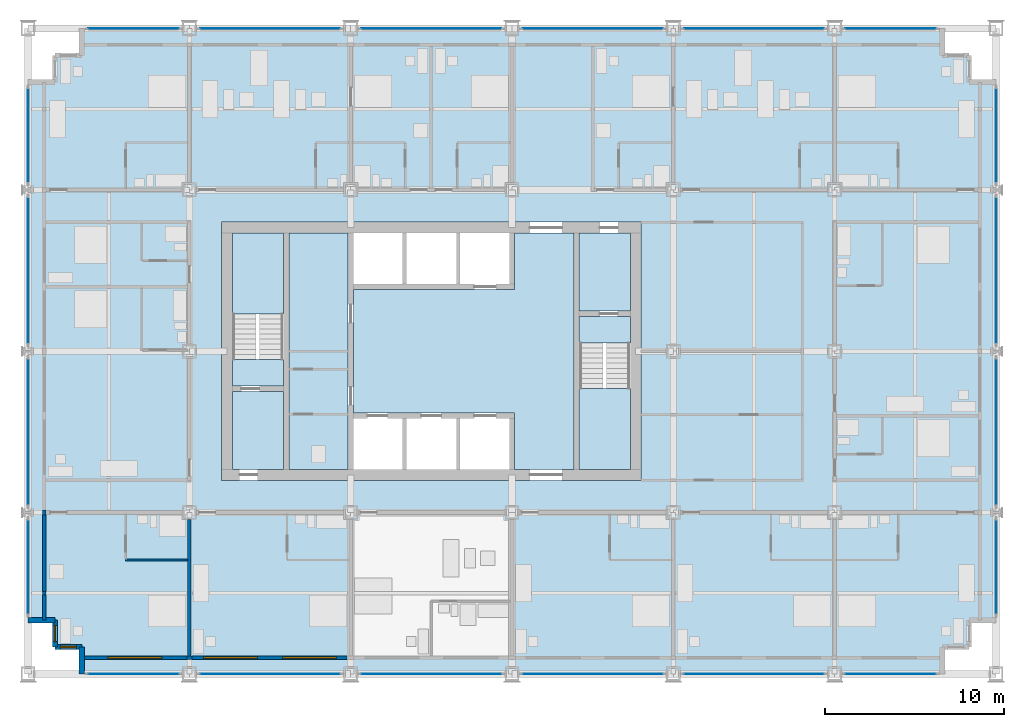
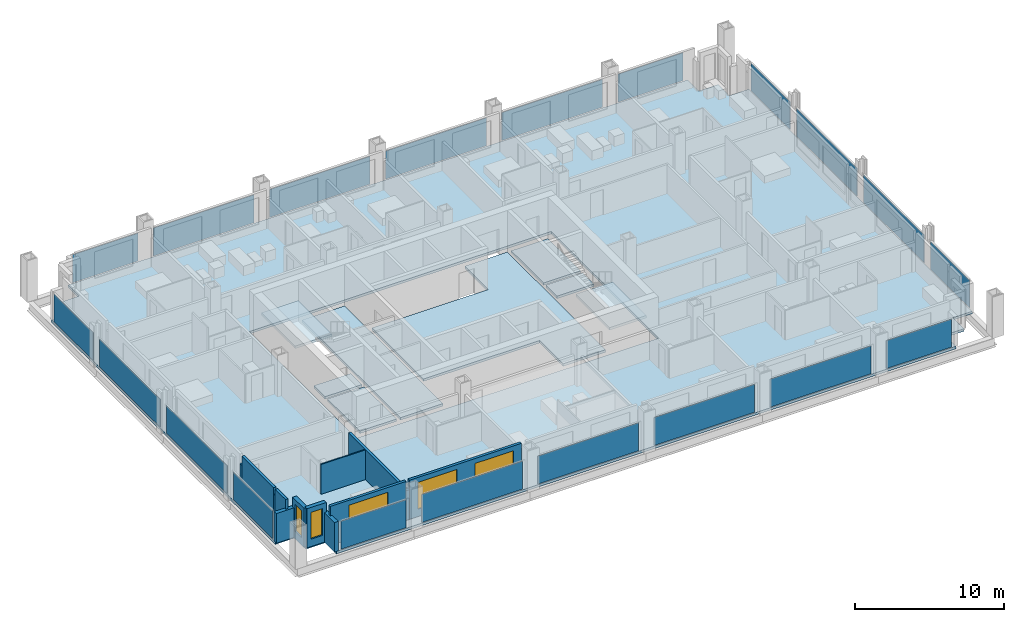
# One storey, part 9 of 18: 20 plates, 13 walls, 9 slabs, 5 windows, 5 openings, 22 elements without a shape of their own.
"""IFC4 building model written with IfcOpenShell, lengths in metres."""

from ifc_helpers import new_model, si_unit, direction, frame, frame_2d, origin, origin_2d, place, context, subcontext, project, spatial, polyline, rectangle, outline, extrude, material, layer, layer_set, type_object, element, fill, aggregate, save


model = new_model("IFC4")

# Units and contexts
model_context = context("Model", 3, precision=1e-05, world=origin(), true_north=direction((0.0, 1.0)))
body_context = subcontext(model_context, "Body", "Model", "MODEL_VIEW")
ifc_project = project(units=[si_unit("LENGTHUNIT", "METRE"), si_unit("AREAUNIT", "SQUARE_METRE"), si_unit("VOLUMEUNIT", "CUBIC_METRE"), si_unit("PLANEANGLEUNIT", "RADIAN"), si_unit("MASSUNIT", "GRAM", prefix="KILO")], contexts=[model_context])

# Site, building, storey
site_placement = place(None, origin())
site = spatial("IfcSite", under=ifc_project, at=site_placement, CompositionType="ELEMENT")
building_placement = place(site_placement, origin())
building = spatial("IfcBuilding", under=site, at=building_placement, Name="Loomwork Tower", CompositionType="ELEMENT")
storey_placement = place(building_placement, frame((0.0, 0.0, 41.60009765625)))
storey = spatial("IfcBuildingStorey", under=building, at=storey_placement, Name="L09", CompositionType="ELEMENT", Elevation=41.60009765625)

# Slabs
ifc_material_1 = material(Name="Concrete 5000 psi (34 MPa) on composite metal deck", Category="concrete")
ifc_layer_1 = layer(ifc_material_1, 0.199951171875)
ifc_layer_set_1 = layer_set([ifc_layer_1], Name="Floor slab 200")
slab_type_1 = type_object("IfcSlabType", Name="Floor slab 200", PredefinedType="FLOOR", material=ifc_layer_set_1)
slab_1_placement = place(storey_placement, frame((0.0, 0.0, -0.2001953125)))
element("IfcSlab", 1, at=slab_1_placement, inside=storey, type_object=slab_type_1, Name="Floor slab L09", PredefinedType="FLOOR", context=body_context, shape_type="SweptSolid", body=[
    extrude(outline(polyline([(3.0, 1.5), (1.5, 1.5), (1.5, 3.0), (0.0, 3.0), (0.0, 33.0), (1.5, 33.0), (1.5, 34.5), (3.0, 34.5), (3.0, 36.0), (51.0, 36.0), (51.0, 34.5), (52.5, 34.5), (52.5, 33.0), (54.0, 33.0), (54.0, 3.0), (52.5, 3.0), (52.5, 1.5), (51.0, 1.5), (51.0, 0.0), (3.0, 0.0), (3.0, 1.5)]), holes=[polyline([(10.800048828125, 11.39990234375), (10.800048828125, 11.39990234375), (10.800048828125, 10.800048828125), (34.199951171875, 10.800048828125), (34.199951171875, 11.39990234375), (34.199951171875, 11.39990234375), (34.199951171875, 24.60009765625), (34.199951171875, 25.199951171875), (10.800048828125, 25.199951171875), (10.800048828125, 24.60009765625), (10.800048828125, 11.39990234375)])]), origin(), (0.0, 0.0, 1.0), 0.2001953125),
])
slab_2_placement = place(storey_placement, frame((0.0, 0.0, -0.2001953125)))
element("IfcSlab", 2, at=slab_2_placement, inside=storey, type_object=slab_type_1, Name="Floor slab L09", PredefinedType="FLOOR", context=body_context, shape_type="SweptSolid", body=[
    extrude(outline(polyline([(30.449951171875, 24.60009765625), (30.449951171875, 11.39990234375), (27.14990234375, 11.39990234375), (27.14990234375, 14.25), (27.14990234375, 14.550048828125), (18.14990234375, 14.550048828125), (18.14990234375, 21.449951171875), (27.14990234375, 21.449951171875), (27.14990234375, 21.75), (27.14990234375, 24.60009765625), (30.449951171875, 24.60009765625)])), origin(), (0.0, 0.0, 1.0), 0.2001953125),
])
slab_3_placement = place(storey_placement, frame((0.0, 0.0, -0.2001953125)))
element("IfcSlab", 3, at=slab_3_placement, inside=storey, type_object=slab_type_1, Name="Floor slab L09", PredefinedType="FLOOR", context=body_context, shape_type="SweptSolid", body=[
    extrude(outline(polyline([(14.550048828125, 11.39990234375), (14.550048828125, 24.60009765625), (17.85009765625, 24.60009765625), (17.85009765625, 11.39990234375), (14.550048828125, 11.39990234375)])), origin(), (0.0, 0.0, 1.0), 0.2001953125),
])
slab_4_placement = place(storey_placement, frame((0.0, 0.0, -0.2001953125)))
element("IfcSlab", 4, at=slab_4_placement, inside=storey, type_object=slab_type_1, Name="Floor slab L09", PredefinedType="FLOOR", context=body_context, shape_type="SweptSolid", body=[
    extrude(outline(polyline([(33.60009765625, 20.25), (30.75, 20.25), (30.75, 24.60009765625), (33.60009765625, 24.60009765625), (33.60009765625, 20.25)])), origin(), (0.0, 0.0, 1.0), 0.2001953125),
])
slab_5_placement = place(storey_placement, frame((0.0, 0.0, -0.2001953125)))
element("IfcSlab", 5, at=slab_5_placement, inside=storey, type_object=slab_type_1, Name="Floor slab L09", PredefinedType="FLOOR", context=body_context, shape_type="SweptSolid", body=[
    extrude(outline(polyline([(14.25, 15.75), (14.25, 11.39990234375), (11.39990234375, 11.39990234375), (11.39990234375, 15.75), (14.25, 15.75)])), origin(), (0.0, 0.0, 1.0), 0.2001953125),
])

# Curtain wall, plate
ifc_material_2 = material(Name="Aluminium curtain wall frame", Category="aluminium")
curtain_wall_type = type_object("IfcCurtainWallType", Name="Outer skin glazing hotel", PredefinedType="NOTDEFINED", material=ifc_material_2)
curtain_wall_1_placement = place(storey_placement, origin())
curtain_wall_1 = element("IfcCurtainWall", 6, at=curtain_wall_1_placement, inside=storey, type_object=curtain_wall_type, Name="Outer skin glazing hotel cw/S-0", PredefinedType="NOTDEFINED")
ifc_material_3 = material(Name="Clear laminated glass", Category="glass")
ifc_layer_2 = layer(ifc_material_3, 0.02392578125)
ifc_layer_set_2 = layer_set([ifc_layer_2], Name="Outer skin glazing hotel panel")
plate_type = type_object("IfcPlateType", Name="Outer skin glazing hotel panel", PredefinedType="CURTAIN_PANEL", material=ifc_layer_set_2)
plate_1_placement = place(storey_placement, frame((5.875, 0.0, 0.06494140625), z_axis=(0.0, 0.0, 1.0), x_axis=(1.0, 0.0, 0.0)))
plate_1 = element("IfcPlate", 7, at=plate_1_placement, type_object=plate_type, Name="CW1 panel 1.1", PredefinedType="CURTAIN_PANEL", context=body_context, shape_type="SweptSolid", body=[
    extrude(rectangle(XDim=5.050048828125, YDim=0.02392578125, at=origin_2d()), origin(), (0.0, 0.0, 1.0), 2.290283203125),
])
aggregate(curtain_wall_1, [plate_1])

curtain_wall_2_placement = place(storey_placement, origin())
curtain_wall_2 = element("IfcCurtainWall", 8, at=curtain_wall_2_placement, inside=storey, type_object=curtain_wall_type, Name="Outer skin glazing hotel cw/S-9", PredefinedType="NOTDEFINED")
plate_2_placement = place(storey_placement, frame((13.5, 0.0, 0.06494140625), z_axis=(0.0, 0.0, 1.0), x_axis=(1.0, 0.0, 0.0)))
plate_2 = element("IfcPlate", 9, at=plate_2_placement, type_object=plate_type, Name="CW1 panel 1.1", PredefinedType="CURTAIN_PANEL", context=body_context, shape_type="SweptSolid", body=[
    extrude(rectangle(XDim=7.800048828125, YDim=0.02392578125, at=origin_2d()), origin(), (0.0, 0.0, 1.0), 2.290283203125),
])
aggregate(curtain_wall_2, [plate_2])

curtain_wall_3_placement = place(storey_placement, origin())
curtain_wall_3 = element("IfcCurtainWall", 10, at=curtain_wall_3_placement, inside=storey, type_object=curtain_wall_type, Name="Outer skin glazing hotel cw/S-18", PredefinedType="NOTDEFINED")
plate_3_placement = place(storey_placement, frame((22.5, 0.0, 0.06494140625), z_axis=(0.0, 0.0, 1.0), x_axis=(1.0, 0.0, 0.0)))
plate_3 = element("IfcPlate", 11, at=plate_3_placement, type_object=plate_type, Name="CW1 panel 1.1", PredefinedType="CURTAIN_PANEL", context=body_context, shape_type="SweptSolid", body=[
    extrude(rectangle(XDim=7.800048828125, YDim=0.02392578125, at=origin_2d()), origin(), (0.0, 0.0, 1.0), 2.290283203125),
])
aggregate(curtain_wall_3, [plate_3])

curtain_wall_4_placement = place(storey_placement, origin())
curtain_wall_4 = element("IfcCurtainWall", 12, at=curtain_wall_4_placement, inside=storey, type_object=curtain_wall_type, Name="Outer skin glazing hotel cw/S-27", PredefinedType="NOTDEFINED")
plate_4_placement = place(storey_placement, frame((31.5, 0.0, 0.06494140625), z_axis=(0.0, 0.0, 1.0), x_axis=(1.0, 0.0, 0.0)))
plate_4 = element("IfcPlate", 13, at=plate_4_placement, type_object=plate_type, Name="CW1 panel 1.1", PredefinedType="CURTAIN_PANEL", context=body_context, shape_type="SweptSolid", body=[
    extrude(rectangle(XDim=7.800048828125, YDim=0.02392578125, at=origin_2d()), origin(), (0.0, 0.0, 1.0), 2.290283203125),
])
aggregate(curtain_wall_4, [plate_4])

curtain_wall_5_placement = place(storey_placement, origin())
curtain_wall_5 = element("IfcCurtainWall", 14, at=curtain_wall_5_placement, inside=storey, type_object=curtain_wall_type, Name="Outer skin glazing hotel cw/S-36", PredefinedType="NOTDEFINED")
plate_5_placement = place(storey_placement, frame((40.5, 0.0, 0.06494140625), z_axis=(0.0, 0.0, 1.0), x_axis=(1.0, 0.0, 0.0)))
plate_5 = element("IfcPlate", 15, at=plate_5_placement, type_object=plate_type, Name="CW1 panel 1.1", PredefinedType="CURTAIN_PANEL", context=body_context, shape_type="SweptSolid", body=[
    extrude(rectangle(XDim=7.800048828125, YDim=0.02392578125, at=origin_2d()), origin(), (0.0, 0.0, 1.0), 2.290283203125),
])
aggregate(curtain_wall_5, [plate_5])

curtain_wall_6_placement = place(storey_placement, origin())
curtain_wall_6 = element("IfcCurtainWall", 16, at=curtain_wall_6_placement, inside=storey, type_object=curtain_wall_type, Name="Outer skin glazing hotel cw/S-45", PredefinedType="NOTDEFINED")
plate_6_placement = place(storey_placement, frame((48.125, 0.0, 0.06494140625), z_axis=(0.0, 0.0, 1.0), x_axis=(1.0, 0.0, 0.0)))
plate_6 = element("IfcPlate", 17, at=plate_6_placement, type_object=plate_type, Name="CW1 panel 1.1", PredefinedType="CURTAIN_PANEL", context=body_context, shape_type="SweptSolid", body=[
    extrude(rectangle(XDim=5.050048828125, YDim=0.02392578125, at=origin_2d()), origin(), (0.0, 0.0, 1.0), 2.290283203125),
])
aggregate(curtain_wall_6, [plate_6])

curtain_wall_7_placement = place(storey_placement, origin())
curtain_wall_7 = element("IfcCurtainWall", 18, at=curtain_wall_7_placement, inside=storey, type_object=curtain_wall_type, Name="Outer skin glazing hotel cw/N-0", PredefinedType="NOTDEFINED")
plate_7_placement = place(storey_placement, frame((5.875, 36.0, 0.06494140625), z_axis=(0.0, 0.0, 1.0), x_axis=(-1.0, 0.0, 0.0)))
plate_7 = element("IfcPlate", 19, at=plate_7_placement, type_object=plate_type, Name="CW1 panel 1.1", PredefinedType="CURTAIN_PANEL", context=body_context, shape_type="SweptSolid", body=[
    extrude(rectangle(XDim=5.050048828125, YDim=0.02392578125, at=origin_2d()), origin(), (0.0, 0.0, 1.0), 2.290283203125),
])
aggregate(curtain_wall_7, [plate_7])

curtain_wall_8_placement = place(storey_placement, origin())
curtain_wall_8 = element("IfcCurtainWall", 20, at=curtain_wall_8_placement, inside=storey, type_object=curtain_wall_type, Name="Outer skin glazing hotel cw/N-9", PredefinedType="NOTDEFINED")
plate_8_placement = place(storey_placement, frame((13.5, 36.0, 0.06494140625), z_axis=(0.0, 0.0, 1.0), x_axis=(-1.0, 0.0, 0.0)))
plate_8 = element("IfcPlate", 21, at=plate_8_placement, type_object=plate_type, Name="CW1 panel 1.1", PredefinedType="CURTAIN_PANEL", context=body_context, shape_type="SweptSolid", body=[
    extrude(rectangle(XDim=7.800048828125, YDim=0.02392578125, at=origin_2d()), origin(), (0.0, 0.0, 1.0), 2.290283203125),
])
aggregate(curtain_wall_8, [plate_8])

curtain_wall_9_placement = place(storey_placement, origin())
curtain_wall_9 = element("IfcCurtainWall", 22, at=curtain_wall_9_placement, inside=storey, type_object=curtain_wall_type, Name="Outer skin glazing hotel cw/N-18", PredefinedType="NOTDEFINED")
plate_9_placement = place(storey_placement, frame((22.5, 36.0, 0.06494140625), z_axis=(0.0, 0.0, 1.0), x_axis=(-1.0, 0.0, 0.0)))
plate_9 = element("IfcPlate", 23, at=plate_9_placement, type_object=plate_type, Name="CW1 panel 1.1", PredefinedType="CURTAIN_PANEL", context=body_context, shape_type="SweptSolid", body=[
    extrude(rectangle(XDim=7.800048828125, YDim=0.02392578125, at=origin_2d()), origin(), (0.0, 0.0, 1.0), 2.290283203125),
])
aggregate(curtain_wall_9, [plate_9])

curtain_wall_10_placement = place(storey_placement, origin())
curtain_wall_10 = element("IfcCurtainWall", 24, at=curtain_wall_10_placement, inside=storey, type_object=curtain_wall_type, Name="Outer skin glazing hotel cw/N-27", PredefinedType="NOTDEFINED")
plate_10_placement = place(storey_placement, frame((31.5, 36.0, 0.06494140625), z_axis=(0.0, 0.0, 1.0), x_axis=(-1.0, 0.0, 0.0)))
plate_10 = element("IfcPlate", 25, at=plate_10_placement, type_object=plate_type, Name="CW1 panel 1.1", PredefinedType="CURTAIN_PANEL", context=body_context, shape_type="SweptSolid", body=[
    extrude(rectangle(XDim=7.800048828125, YDim=0.02392578125, at=origin_2d()), origin(), (0.0, 0.0, 1.0), 2.290283203125),
])
aggregate(curtain_wall_10, [plate_10])

curtain_wall_11_placement = place(storey_placement, origin())
curtain_wall_11 = element("IfcCurtainWall", 26, at=curtain_wall_11_placement, inside=storey, type_object=curtain_wall_type, Name="Outer skin glazing hotel cw/N-36", PredefinedType="NOTDEFINED")
plate_11_placement = place(storey_placement, frame((40.5, 36.0, 0.06494140625), z_axis=(0.0, 0.0, 1.0), x_axis=(-1.0, 0.0, 0.0)))
plate_11 = element("IfcPlate", 27, at=plate_11_placement, type_object=plate_type, Name="CW1 panel 1.1", PredefinedType="CURTAIN_PANEL", context=body_context, shape_type="SweptSolid", body=[
    extrude(rectangle(XDim=7.800048828125, YDim=0.02392578125, at=origin_2d()), origin(), (0.0, 0.0, 1.0), 2.290283203125),
])
aggregate(curtain_wall_11, [plate_11])

curtain_wall_12_placement = place(storey_placement, origin())
curtain_wall_12 = element("IfcCurtainWall", 28, at=curtain_wall_12_placement, inside=storey, type_object=curtain_wall_type, Name="Outer skin glazing hotel cw/N-45", PredefinedType="NOTDEFINED")
plate_12_placement = place(storey_placement, frame((48.125, 36.0, 0.06494140625), z_axis=(0.0, 0.0, 1.0), x_axis=(-1.0, 0.0, 0.0)))
plate_12 = element("IfcPlate", 29, at=plate_12_placement, type_object=plate_type, Name="CW1 panel 1.1", PredefinedType="CURTAIN_PANEL", context=body_context, shape_type="SweptSolid", body=[
    extrude(rectangle(XDim=5.050048828125, YDim=0.02392578125, at=origin_2d()), origin(), (0.0, 0.0, 1.0), 2.290283203125),
])
aggregate(curtain_wall_12, [plate_12])

curtain_wall_13_placement = place(storey_placement, origin())
curtain_wall_13 = element("IfcCurtainWall", 30, at=curtain_wall_13_placement, inside=storey, type_object=curtain_wall_type, Name="Outer skin glazing hotel cw/W-0", PredefinedType="NOTDEFINED")
plate_13_placement = place(storey_placement, frame((0.0, 5.95556640625, 0.06494140625), z_axis=(0.0, 0.0, 1.0), x_axis=(0.0, -1.0, 0.0)))
plate_13 = element("IfcPlate", 31, at=plate_13_placement, type_object=plate_type, Name="CW1 panel 1.1", PredefinedType="CURTAIN_PANEL", context=body_context, shape_type="SweptSolid", body=[
    extrude(rectangle(XDim=5.211181640625, YDim=0.02392578125, at=origin_2d()), origin(), (0.0, 0.0, 1.0), 2.290283203125),
])
aggregate(curtain_wall_13, [plate_13])

curtain_wall_14_placement = place(storey_placement, origin())
curtain_wall_14 = element("IfcCurtainWall", 32, at=curtain_wall_14_placement, inside=storey, type_object=curtain_wall_type, Name="Outer skin glazing hotel cw/W-9", PredefinedType="NOTDEFINED")
plate_14_placement = place(storey_placement, frame((0.0, 13.5, 0.06494140625), z_axis=(0.0, 0.0, 1.0), x_axis=(0.0, -1.0, 0.0)))
plate_14 = element("IfcPlate", 33, at=plate_14_placement, type_object=plate_type, Name="CW1 panel 1.1", PredefinedType="CURTAIN_PANEL", context=body_context, shape_type="SweptSolid", body=[
    extrude(rectangle(XDim=8.122314453125, YDim=0.02392578125, at=origin_2d()), origin(), (0.0, 0.0, 1.0), 2.290283203125),
])
aggregate(curtain_wall_14, [plate_14])

curtain_wall_15_placement = place(storey_placement, origin())
curtain_wall_15 = element("IfcCurtainWall", 34, at=curtain_wall_15_placement, inside=storey, type_object=curtain_wall_type, Name="Outer skin glazing hotel cw/W-18", PredefinedType="NOTDEFINED")
plate_15_placement = place(storey_placement, frame((0.0, 22.5, 0.06494140625), z_axis=(0.0, 0.0, 1.0), x_axis=(0.0, -1.0, 0.0)))
plate_15 = element("IfcPlate", 35, at=plate_15_placement, type_object=plate_type, Name="CW1 panel 1.1", PredefinedType="CURTAIN_PANEL", context=body_context, shape_type="SweptSolid", body=[
    extrude(rectangle(XDim=8.122314453125, YDim=0.02392578125, at=origin_2d()), origin(), (0.0, 0.0, 1.0), 2.290283203125),
])
aggregate(curtain_wall_15, [plate_15])

curtain_wall_16_placement = place(storey_placement, origin())
curtain_wall_16 = element("IfcCurtainWall", 36, at=curtain_wall_16_placement, inside=storey, type_object=curtain_wall_type, Name="Outer skin glazing hotel cw/W-27", PredefinedType="NOTDEFINED")
plate_16_placement = place(storey_placement, frame((0.0, 30.04443359375, 0.06494140625), z_axis=(0.0, 0.0, 1.0), x_axis=(0.0, -1.0, 0.0)))
plate_16 = element("IfcPlate", 37, at=plate_16_placement, type_object=plate_type, Name="CW1 panel 1.1", PredefinedType="CURTAIN_PANEL", context=body_context, shape_type="SweptSolid", body=[
    extrude(rectangle(XDim=5.211181640625, YDim=0.02392578125, at=origin_2d()), origin(), (0.0, 0.0, 1.0), 2.290283203125),
])
aggregate(curtain_wall_16, [plate_16])

curtain_wall_17_placement = place(storey_placement, origin())
curtain_wall_17 = element("IfcCurtainWall", 38, at=curtain_wall_17_placement, inside=storey, type_object=curtain_wall_type, Name="Outer skin glazing hotel cw/E-0", PredefinedType="NOTDEFINED")
plate_17_placement = place(storey_placement, frame((54.0, 5.95556640625, 0.06494140625), z_axis=(0.0, 0.0, 1.0), x_axis=(0.0, 1.0, 0.0)))
plate_17 = element("IfcPlate", 39, at=plate_17_placement, type_object=plate_type, Name="CW1 panel 1.1", PredefinedType="CURTAIN_PANEL", context=body_context, shape_type="SweptSolid", body=[
    extrude(rectangle(XDim=5.211181640625, YDim=0.02392578125, at=origin_2d()), origin(), (0.0, 0.0, 1.0), 2.290283203125),
])
aggregate(curtain_wall_17, [plate_17])

curtain_wall_18_placement = place(storey_placement, origin())
curtain_wall_18 = element("IfcCurtainWall", 40, at=curtain_wall_18_placement, inside=storey, type_object=curtain_wall_type, Name="Outer skin glazing hotel cw/E-9", PredefinedType="NOTDEFINED")
plate_18_placement = place(storey_placement, frame((54.0, 13.5, 0.06494140625), z_axis=(0.0, 0.0, 1.0), x_axis=(0.0, 1.0, 0.0)))
plate_18 = element("IfcPlate", 41, at=plate_18_placement, type_object=plate_type, Name="CW1 panel 1.1", PredefinedType="CURTAIN_PANEL", context=body_context, shape_type="SweptSolid", body=[
    extrude(rectangle(XDim=8.122314453125, YDim=0.02392578125, at=origin_2d()), origin(), (0.0, 0.0, 1.0), 2.290283203125),
])
aggregate(curtain_wall_18, [plate_18])

curtain_wall_19_placement = place(storey_placement, origin())
curtain_wall_19 = element("IfcCurtainWall", 42, at=curtain_wall_19_placement, inside=storey, type_object=curtain_wall_type, Name="Outer skin glazing hotel cw/E-18", PredefinedType="NOTDEFINED")
plate_19_placement = place(storey_placement, frame((54.0, 22.5, 0.06494140625), z_axis=(0.0, 0.0, 1.0), x_axis=(0.0, 1.0, 0.0)))
plate_19 = element("IfcPlate", 43, at=plate_19_placement, type_object=plate_type, Name="CW1 panel 1.1", PredefinedType="CURTAIN_PANEL", context=body_context, shape_type="SweptSolid", body=[
    extrude(rectangle(XDim=8.122314453125, YDim=0.02392578125, at=origin_2d()), origin(), (0.0, 0.0, 1.0), 2.290283203125),
])
aggregate(curtain_wall_19, [plate_19])

curtain_wall_20_placement = place(storey_placement, origin())
curtain_wall_20 = element("IfcCurtainWall", 44, at=curtain_wall_20_placement, inside=storey, type_object=curtain_wall_type, Name="Outer skin glazing hotel cw/E-27", PredefinedType="NOTDEFINED")
plate_20_placement = place(storey_placement, frame((54.0, 30.04443359375, 0.06494140625), z_axis=(0.0, 0.0, 1.0), x_axis=(0.0, 1.0, 0.0)))
plate_20 = element("IfcPlate", 45, at=plate_20_placement, type_object=plate_type, Name="CW1 panel 1.1", PredefinedType="CURTAIN_PANEL", context=body_context, shape_type="SweptSolid", body=[
    extrude(rectangle(XDim=5.211181640625, YDim=0.02392578125, at=origin_2d()), origin(), (0.0, 0.0, 1.0), 2.290283203125),
])
aggregate(curtain_wall_20, [plate_20])

# Stair, slabs
ifc_material_4 = material(Name="Concrete 5000 psi (34 MPa) precast stair", Category="concrete")
stair_type_1 = type_object("IfcStairType", Name="Stair ST-A 20 risers 2850 wide", PredefinedType="HALF_TURN_STAIR", material=ifc_material_4)
stair_1_placement = place(storey_placement, origin())
stair_1 = element("IfcStair", 46, at=stair_1_placement, inside=storey, type_object=stair_type_1, Name="Stair A L09", PredefinedType="HALF_TURN_STAIR")
ifc_material_5 = material(Name="Concrete 5000 psi (34 MPa)", Category="concrete")
ifc_layer_3 = layer(ifc_material_5, 0.199951171875)
ifc_layer_set_3 = layer_set([ifc_layer_3], Name="Stair landing 200")
slab_type_2 = type_object("IfcSlabType", Name="Stair landing 200", PredefinedType="LANDING", material=ifc_layer_set_3)
slab_6_placement = place(storey_placement, frame((0.0, 0.0, -0.2001953125)))
slab_6 = element("IfcSlab", 47, at=slab_6_placement, type_object=slab_type_2, Name="ST-A landing 1", PredefinedType="LANDING", context=body_context, shape_type="SweptSolid", body=[
    extrude(outline(polyline([(11.39990234375, 16.050048828125), (14.25, 16.050048828125), (14.25, 17.550048828125), (11.39990234375, 17.550048828125), (11.39990234375, 16.050048828125)])), origin(), (0.0, 0.0, 1.0), 0.2001953125),
])
slab_7_placement = place(storey_placement, frame((0.0, 0.0, 1.5)))
slab_7 = element("IfcSlab", 48, at=slab_7_placement, type_object=slab_type_2, Name="ST-A landing 2", PredefinedType="LANDING", context=body_context, shape_type="SweptSolid", body=[
    extrude(outline(polyline([(11.39990234375, 20.070068359375), (14.25, 20.070068359375), (14.25, 24.60009765625), (11.39990234375, 24.60009765625), (11.39990234375, 20.070068359375)])), origin(), (0.0, 0.0, 1.0), 0.199951171875),
])
aggregate(stair_1, [slab_6, slab_7])

ifc_material_6 = material(Name="Concrete 5000 psi (34 MPa) precast stair", Category="concrete")
stair_type_2 = type_object("IfcStairType", Name="Stair ST-B 20 risers 2850 wide", PredefinedType="HALF_TURN_STAIR", material=ifc_material_6)
stair_2_placement = place(storey_placement, origin())
stair_2 = element("IfcStair", 49, at=stair_2_placement, inside=storey, type_object=stair_type_2, Name="Stair B L09", PredefinedType="HALF_TURN_STAIR")
slab_8_placement = place(storey_placement, frame((0.0, 0.0, -0.2001953125)))
slab_8 = element("IfcSlab", 50, at=slab_8_placement, type_object=slab_type_2, Name="ST-B landing 1", PredefinedType="LANDING", context=body_context, shape_type="SweptSolid", body=[
    extrude(outline(polyline([(30.75, 18.449951171875), (33.60009765625, 18.449951171875), (33.60009765625, 19.949951171875), (30.75, 19.949951171875), (30.75, 18.449951171875)])), origin(), (0.0, 0.0, 1.0), 0.2001953125),
])
slab_9_placement = place(storey_placement, frame((0.0, 0.0, 1.5)))
slab_9 = element("IfcSlab", 51, at=slab_9_placement, type_object=slab_type_2, Name="ST-B landing 2", PredefinedType="LANDING", context=body_context, shape_type="SweptSolid", body=[
    extrude(outline(polyline([(30.75, 11.39990234375), (33.60009765625, 11.39990234375), (33.60009765625, 15.929931640625), (30.75, 15.929931640625), (30.75, 11.39990234375)])), origin(), (0.0, 0.0, 1.0), 0.199951171875),
])
aggregate(stair_2, [slab_8, slab_9])

# Walls
ifc_material_7 = material(Name="Cement board on steel studs", Category="steel")
ifc_layer_4 = layer(ifc_material_7, 0.10009765625)
ifc_layer_set_4 = layer_set([ifc_layer_4], Name="En-suite partition 100")
wall_type_1 = type_object("IfcWallType", Name="En-suite partition 100", PredefinedType="PARTITIONING", material=ifc_layer_set_4)
wall_1_placement = place(storey_placement, frame((5.449951171875, 6.35009765625, 0.0), z_axis=(0.0, 0.0, 1.0), x_axis=(1.0, 0.0, 0.0)))
element("IfcWall", 52, at=wall_1_placement, inside=storey, type_object=wall_type_1, Name="En-suite wall L09 room 1", PredefinedType="PARTITIONING", context=body_context, shape_type="SweptSolid", body=[
    extrude(rectangle(XDim=3.449951171875, YDim=0.10009765625, at=frame_2d((1.72509765625, 0.0))), origin(), (0.0, 0.0, 1.0), 2.43798828125),
])
ifc_material_8 = material(Name="Gypsum board on steel studs, acoustic", Category="steel")
ifc_layer_5 = layer(ifc_material_8, 0.199951171875)
ifc_layer_set_5 = layer_set([ifc_layer_5], Name="Guest room party wall 200")
wall_type_2 = type_object("IfcWallType", Name="Guest room party wall 200", PredefinedType="PARTITIONING", material=ifc_layer_set_5)
wall_2_placement = place(storey_placement, frame((9.0, 8.60009765625, 0.0), z_axis=(0.0, 0.0, 1.0), x_axis=(0.0, -1.0, 0.0)))
element("IfcWall", 53, at=wall_2_placement, inside=storey, type_object=wall_type_2, Name="Guest room party wall S 9", PredefinedType="PARTITIONING", context=body_context, shape_type="SweptSolid", body=[
    extrude(rectangle(XDim=7.60009765625, YDim=0.199951171875, at=frame_2d((3.800048828125, 0.0))), origin(), (0.0, 0.0, 1.0), 2.43798828125),
])

# Wall, opening, window
ifc_material_9 = material(Name="Insulated steel stud wall with gypsum lining", Category="steel")
ifc_layer_6 = layer(ifc_material_9, 0.199951171875)
ifc_layer_set_6 = layer_set([ifc_layer_6], Name="Inner skin wall 200")
wall_type_3 = type_object("IfcWallType", Name="Inner skin wall 200", PredefinedType="SOLIDWALL", material=ifc_layer_set_6)
wall_3_placement = place(storey_placement, frame((3.0, 0.89990234375, 0.0), z_axis=(0.0, 0.0, 1.0), x_axis=(1.0, 0.0, 0.0)))
wall_3 = element("IfcWall", 54, at=wall_3_placement, inside=storey, type_object=wall_type_3, Name="Inner skin wall S", PredefinedType="SOLIDWALL", context=body_context, shape_type="SweptSolid", body=[
    extrude(rectangle(XDim=5.86474609375, YDim=0.199951171875, at=frame_2d((2.932373046875, 0.0))), origin(), (0.0, 0.0, 1.0), 3.199951171875),
])
opening_1_placement = place(wall_3_placement, frame((1.449951171875, 0.0, 0.60009765625)))
opening_1 = element("IfcOpeningElement", 55, at=opening_1_placement, cuts=wall_3, Name="Opening CH1", PredefinedType="OPENING", context=body_context, shape_type="SweptSolid", body=[
    extrude(rectangle(XDim=3.0, YDim=2.199951171875, at=frame_2d((1.5, 1.10009765625))), frame((0.0, 0.10986328125, 0.0), z_axis=(0.0, -1.0, 0.0), x_axis=(1.0, 0.0, 0.0)), (0.0, 0.0, 1.0), 0.219970703125),
])
ifc_material_10 = material(Name="Aluminium frame with clear insulated glass", Category="aluminium")
window_type_1 = type_object("IfcWindowType", Name="Chicago window 3000", PartitioningType="TRIPLE_PANEL_VERTICAL", PredefinedType="WINDOW", material=ifc_material_10)
window_1_placement = place(opening_1_placement, origin())
window_1 = element("IfcWindow", 56, at=window_1_placement, inside=storey, type_object=window_type_1, Name="Chicago window L09 bay 1", OverallHeight=2.199951171875, OverallWidth=3.0, PartitioningType="TRIPLE_PANEL_VERTICAL", PredefinedType="WINDOW", context=body_context, shape_type="SweptSolid", body=[
    extrude(rectangle(XDim=3.0, YDim=2.199951171875, at=frame_2d((1.5, 1.10009765625))), frame((0.0, 0.030029296875, 0.0), z_axis=(0.0, -1.0, 0.0), x_axis=(1.0, 0.0, 0.0)), (0.0, 0.0, 1.0), 0.06005859375),
])
fill(opening_1, window_1)

# Walls
wall_4_placement = place(storey_placement, frame((0.89990234375, 3.0, 0.0), z_axis=(0.0, 0.0, 1.0), x_axis=(0.0, 1.0, 0.0)))
element("IfcWall", 57, at=wall_4_placement, inside=storey, type_object=wall_type_3, Name="Inner skin wall W", PredefinedType="SOLIDWALL", context=body_context, shape_type="SweptSolid", body=[
    extrude(rectangle(XDim=1.392578125, YDim=0.199951171875, at=frame_2d((0.6962890625, 0.0))), origin(), (0.0, 0.0, 1.0), 3.199951171875),
])
wall_5_placement = place(storey_placement, frame((8.86474609375, 0.89990234375, 0.0), z_axis=(0.0, 0.0, 1.0), x_axis=(1.0, 0.0, 0.0)))
element("IfcWall", 58, at=wall_5_placement, inside=storey, type_object=wall_type_3, Name="Inner skin wall S bay 2", PredefinedType="SOLIDWALL", context=body_context, shape_type="SweptSolid", body=[
    extrude(rectangle(XDim=0.2705078125, YDim=0.199951171875, at=frame_2d((0.13525390625, 0.0))), origin(), (0.0, 0.0, 1.0), 2.43798828125),
])

# Wall, openings, windows
wall_6_placement = place(storey_placement, frame((9.13525390625, 0.89990234375, 0.0), z_axis=(0.0, 0.0, 1.0), x_axis=(1.0, 0.0, 0.0)))
wall_6 = element("IfcWall", 59, at=wall_6_placement, inside=storey, type_object=wall_type_3, Name="Inner skin wall S bay 3", PredefinedType="SOLIDWALL", context=body_context, shape_type="SweptSolid", body=[
    extrude(rectangle(XDim=8.6708984375, YDim=0.199951171875, at=frame_2d((4.33544921875, 0.0))), origin(), (0.0, 0.0, 1.0), 3.199951171875),
])
opening_2_placement = place(wall_6_placement, frame((0.664794921875, 0.0, 0.60009765625)))
opening_2 = element("IfcOpeningElement", 60, at=opening_2_placement, cuts=wall_6, Name="Opening CH1", PredefinedType="OPENING", context=body_context, shape_type="SweptSolid", body=[
    extrude(rectangle(XDim=3.0, YDim=2.199951171875, at=frame_2d((1.5, 1.10009765625))), frame((0.0, 0.10986328125, 0.0), z_axis=(0.0, -1.0, 0.0), x_axis=(1.0, 0.0, 0.0)), (0.0, 0.0, 1.0), 0.219970703125),
])
opening_3_placement = place(wall_6_placement, frame((5.064697265625, 0.0, 0.60009765625)))
opening_3 = element("IfcOpeningElement", 61, at=opening_3_placement, cuts=wall_6, Name="Opening CH1", PredefinedType="OPENING", context=body_context, shape_type="SweptSolid", body=[
    extrude(rectangle(XDim=3.0, YDim=2.199951171875, at=frame_2d((1.5, 1.10009765625))), frame((0.0, 0.10986328125, 0.0), z_axis=(0.0, -1.0, 0.0), x_axis=(1.0, 0.0, 0.0)), (0.0, 0.0, 1.0), 0.219970703125),
])
window_2_placement = place(opening_2_placement, origin())
window_2 = element("IfcWindow", 62, at=window_2_placement, inside=storey, type_object=window_type_1, Name="Chicago window L09 bay 2", OverallHeight=2.199951171875, OverallWidth=3.0, PartitioningType="TRIPLE_PANEL_VERTICAL", PredefinedType="WINDOW", context=body_context, shape_type="SweptSolid", body=[
    extrude(rectangle(XDim=3.0, YDim=2.199951171875, at=frame_2d((1.5, 1.10009765625))), frame((0.0, 0.030029296875, 0.0), z_axis=(0.0, -1.0, 0.0), x_axis=(1.0, 0.0, 0.0)), (0.0, 0.0, 1.0), 0.06005859375),
])
fill(opening_2, window_2)
window_3_placement = place(opening_3_placement, origin())
window_3 = element("IfcWindow", 63, at=window_3_placement, inside=storey, type_object=window_type_1, Name="Chicago window L09 bay 2", OverallHeight=2.199951171875, OverallWidth=3.0, PartitioningType="TRIPLE_PANEL_VERTICAL", PredefinedType="WINDOW", context=body_context, shape_type="SweptSolid", body=[
    extrude(rectangle(XDim=3.0, YDim=2.199951171875, at=frame_2d((1.5, 1.10009765625))), frame((0.0, 0.030029296875, 0.0), z_axis=(0.0, -1.0, 0.0), x_axis=(1.0, 0.0, 0.0)), (0.0, 0.0, 1.0), 0.06005859375),
])
fill(opening_3, window_3)

# Walls
wall_7_placement = place(storey_placement, frame((0.89990234375, 4.392578125, 0.0), z_axis=(0.0, 0.0, 1.0), x_axis=(0.0, 1.0, 0.0)))
element("IfcWall", 64, at=wall_7_placement, inside=storey, type_object=wall_type_3, Name="Inner skin wall W bay 2", PredefinedType="SOLIDWALL", context=body_context, shape_type="SweptSolid", body=[
    extrude(rectangle(XDim=0.21484375, YDim=0.199951171875, at=frame_2d((0.107421875, 0.0))), origin(), (0.0, 0.0, 1.0), 2.660888671875),
])
wall_8_placement = place(storey_placement, frame((0.89990234375, 4.607421875, 0.0), z_axis=(0.0, 0.0, 1.0), x_axis=(0.0, 1.0, 0.0)))
element("IfcWall", 65, at=wall_8_placement, inside=storey, type_object=wall_type_3, Name="Inner skin wall W bay 3", PredefinedType="SOLIDWALL", context=body_context, shape_type="SweptSolid", body=[
    extrude(rectangle(XDim=4.25732421875, YDim=0.199951171875, at=frame_2d((2.128662109375, 0.0))), origin(), (0.0, 0.0, 1.0), 3.199951171875),
])
wall_9_placement = place(storey_placement, frame((0.89990234375, 8.86474609375, 0.0), z_axis=(0.0, 0.0, 1.0), x_axis=(0.0, 1.0, 0.0)))
element("IfcWall", 66, at=wall_9_placement, inside=storey, type_object=wall_type_3, Name="Inner skin wall W bay 4", PredefinedType="SOLIDWALL", context=body_context, shape_type="SweptSolid", body=[
    extrude(rectangle(XDim=0.2705078125, YDim=0.199951171875, at=frame_2d((0.13525390625, 0.0))), origin(), (0.0, 0.0, 1.0), 2.43798828125),
])
ifc_material_11 = material(Name="Limestone on concrete masonry", Category="masonry")
ifc_layer_7 = layer(ifc_material_11, 0.300048828125)
ifc_layer_set_7 = layer_set([ifc_layer_7], Name="Limestone corner wall 300")
wall_type_4 = type_object("IfcWallType", Name="Limestone corner wall 300", PredefinedType="SOLIDWALL", material=ifc_layer_set_7)
wall_10_placement = place(storey_placement, frame((0.0, 3.0, 0.0), z_axis=(0.0, 0.0, 1.0), x_axis=(1.0, 0.0, 0.0)))
element("IfcWall", 67, at=wall_10_placement, inside=storey, type_object=wall_type_4, Name="Stone corner wall SW 1", PredefinedType="SOLIDWALL", context=body_context, shape_type="SweptSolid", body=[
    extrude(rectangle(XDim=1.5, YDim=0.300048828125, at=frame_2d((0.75, 0.0))), origin(), (0.0, 0.0, 1.0), 2.419921875),
])

# Wall, opening, window
wall_11_placement = place(storey_placement, frame((1.5, 3.0, 0.0), z_axis=(0.0, 0.0, 1.0), x_axis=(0.0, -1.0, 0.0)))
wall_11 = element("IfcWall", 68, at=wall_11_placement, inside=storey, type_object=wall_type_4, Name="Stone corner wall SW 2", PredefinedType="SOLIDWALL", context=body_context, shape_type="SweptSolid", body=[
    extrude(rectangle(XDim=1.5, YDim=0.300048828125, at=frame_2d((0.75, 0.0))), origin(), (0.0, 0.0, 1.0), 3.199951171875),
])
opening_4_placement = place(wall_11_placement, frame((0.300048828125, 0.0, 0.60009765625)))
opening_4 = element("IfcOpeningElement", 69, at=opening_4_placement, cuts=wall_11, Name="Opening CH2", PredefinedType="OPENING", context=body_context, shape_type="SweptSolid", body=[
    extrude(rectangle(XDim=0.89990234375, YDim=2.199951171875, at=frame_2d((0.449951171875, 1.10009765625))), frame((0.0, 0.159912109375, 0.0), z_axis=(0.0, -1.0, 0.0), x_axis=(1.0, 0.0, 0.0)), (0.0, 0.0, 1.0), 0.320068359375),
])
ifc_material_12 = material(Name="Aluminium frame with clear insulated glass", Category="aluminium")
window_type_2 = type_object("IfcWindowType", Name="Corner window 900", PartitioningType="SINGLE_PANEL", PredefinedType="WINDOW", material=ifc_material_12)
window_4_placement = place(opening_4_placement, origin())
window_4 = element("IfcWindow", 70, at=window_4_placement, inside=storey, type_object=window_type_2, Name="Corner window SW", OverallHeight=2.199951171875, OverallWidth=0.89990234375, PartitioningType="SINGLE_PANEL", PredefinedType="WINDOW", context=body_context, shape_type="SweptSolid", body=[
    extrude(rectangle(XDim=0.89990234375, YDim=2.199951171875, at=frame_2d((0.449951171875, 1.10009765625))), frame((0.0, 0.030029296875, 0.0), z_axis=(0.0, -1.0, 0.0), x_axis=(1.0, 0.0, 0.0)), (0.0, 0.0, 1.0), 0.06005859375),
])
fill(opening_4, window_4)

wall_12_placement = place(storey_placement, frame((1.5, 1.5, 0.0), z_axis=(0.0, 0.0, 1.0), x_axis=(1.0, 0.0, 0.0)))
wall_12 = element("IfcWall", 71, at=wall_12_placement, inside=storey, type_object=wall_type_4, Name="Stone corner wall SW 3", PredefinedType="SOLIDWALL", context=body_context, shape_type="SweptSolid", body=[
    extrude(rectangle(XDim=1.5, YDim=0.300048828125, at=frame_2d((0.75, 0.0))), origin(), (0.0, 0.0, 1.0), 3.199951171875),
])
opening_5_placement = place(wall_12_placement, frame((0.300048828125, 0.0, 0.60009765625)))
opening_5 = element("IfcOpeningElement", 72, at=opening_5_placement, cuts=wall_12, Name="Opening CH2", PredefinedType="OPENING", context=body_context, shape_type="SweptSolid", body=[
    extrude(rectangle(XDim=0.89990234375, YDim=2.199951171875, at=frame_2d((0.449951171875, 1.10009765625))), frame((0.0, 0.159912109375, 0.0), z_axis=(0.0, -1.0, 0.0), x_axis=(1.0, 0.0, 0.0)), (0.0, 0.0, 1.0), 0.320068359375),
])
window_5_placement = place(opening_5_placement, origin())
window_5 = element("IfcWindow", 73, at=window_5_placement, inside=storey, type_object=window_type_2, Name="Corner window SW", OverallHeight=2.199951171875, OverallWidth=0.89990234375, PartitioningType="SINGLE_PANEL", PredefinedType="WINDOW", context=body_context, shape_type="SweptSolid", body=[
    extrude(rectangle(XDim=0.89990234375, YDim=2.199951171875, at=frame_2d((0.449951171875, 1.10009765625))), frame((0.0, 0.030029296875, 0.0), z_axis=(0.0, -1.0, 0.0), x_axis=(1.0, 0.0, 0.0)), (0.0, 0.0, 1.0), 0.06005859375),
])
fill(opening_5, window_5)

# Wall
wall_13_placement = place(storey_placement, frame((3.0, 1.5, 0.0), z_axis=(0.0, 0.0, 1.0), x_axis=(0.0, -1.0, 0.0)))
element("IfcWall", 74, at=wall_13_placement, inside=storey, type_object=wall_type_4, Name="Stone corner wall SW 4", PredefinedType="SOLIDWALL", context=body_context, shape_type="SweptSolid", body=[
    extrude(rectangle(XDim=1.5, YDim=0.300048828125, at=frame_2d((0.75, 0.0))), origin(), (0.0, 0.0, 1.0), 2.419921875),
])

save(model, "model.ifc")
